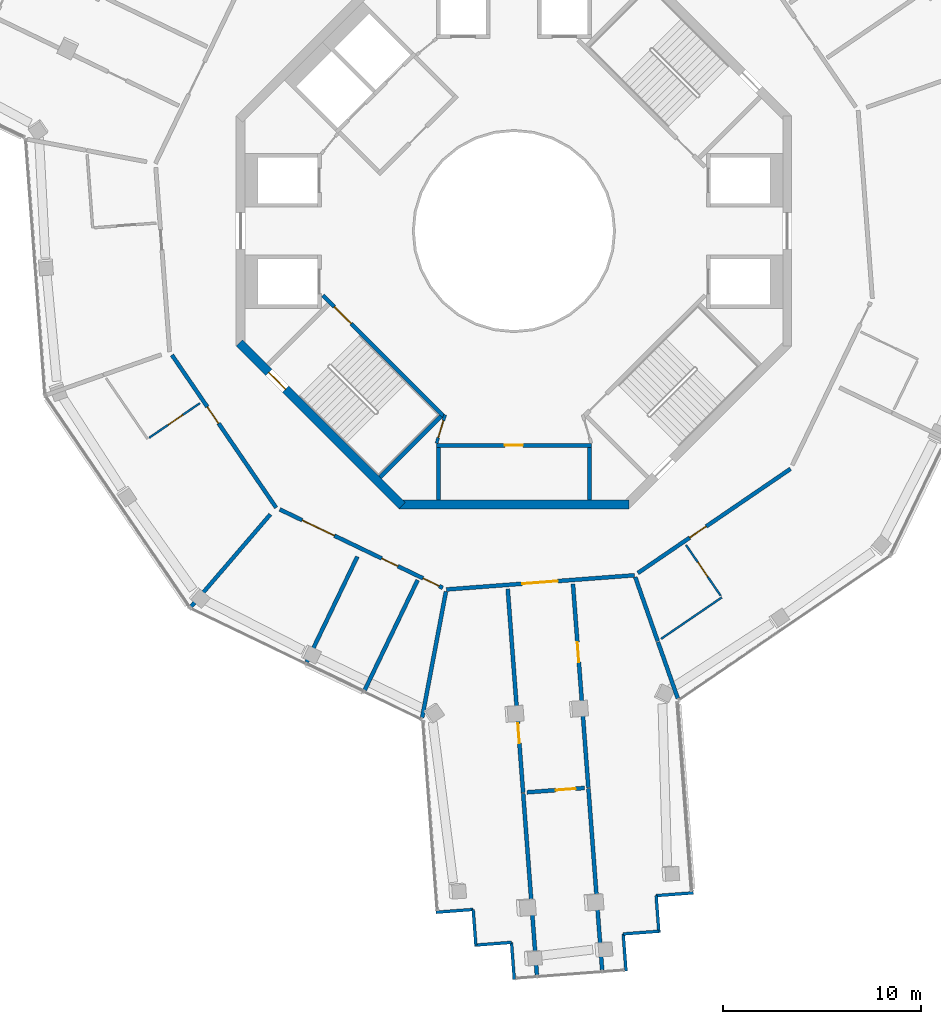
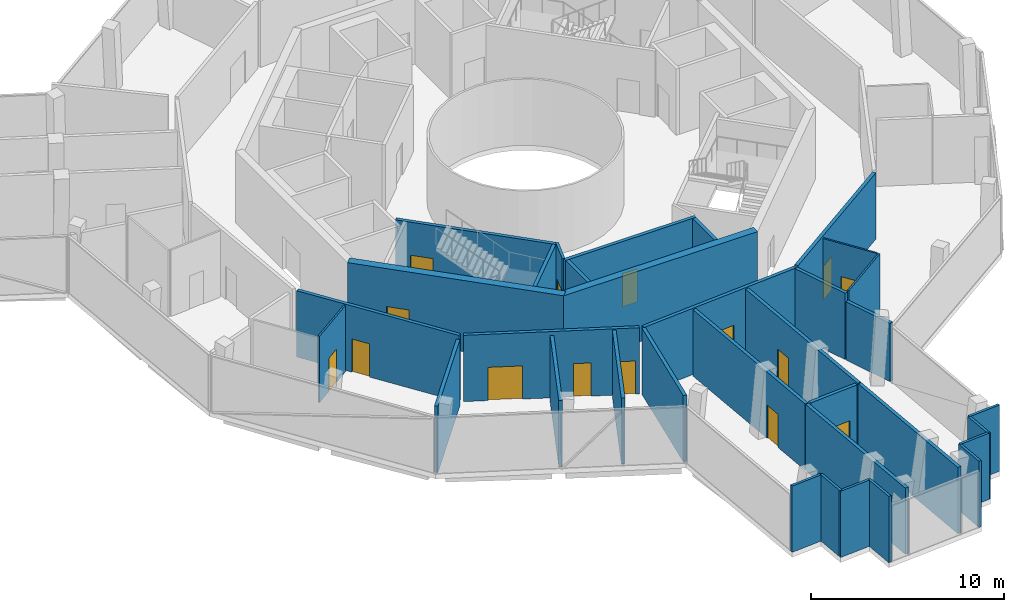
# One storey, part 13 of 19: 34 walls, 15 doors, 15 openings.
"""IFC4 building model written with IfcOpenShell, lengths in metres."""

from ifc_helpers import new_model, si_unit, direction, frame, frame_2d, origin, place, context, subcontext, project, spatial, rectangle, extrude, material, layer, layer_set, type_object, element, fill, save


model = new_model("IFC4")

# Units and contexts
model_context = context("Model", 3, precision=1e-05, world=origin(), true_north=direction((0.0, 1.0)))
body_context = subcontext(model_context, "Body", "Model", "MODEL_VIEW")
ifc_project = project(units=[si_unit("LENGTHUNIT", "METRE"), si_unit("AREAUNIT", "SQUARE_METRE"), si_unit("VOLUMEUNIT", "CUBIC_METRE"), si_unit("PLANEANGLEUNIT", "RADIAN"), si_unit("MASSUNIT", "GRAM", prefix="KILO")], contexts=[model_context])

# Site, building, storey
site_placement = place(None, origin())
site = spatial("IfcSite", under=ifc_project, at=site_placement, CompositionType="ELEMENT")
building_placement = place(site_placement, origin())
building = spatial("IfcBuilding", under=site, at=building_placement, Name="Verdalira Terraces Hotel", CompositionType="ELEMENT")
storey_placement = place(building_placement, frame((0.0, 0.0, 295.0)))
storey = spatial("IfcBuildingStorey", under=building, at=storey_placement, Name="L73", CompositionType="ELEMENT", Elevation=295.0)

# Wall, opening, door
ifc_material_1 = material(Name="Moisture-resistant gypsum board partition")
ifc_layer_1 = layer(ifc_material_1, 0.10009765625)
ifc_layer_set_1 = layer_set([ifc_layer_1], Name="Bathroom partition 100 mm")
wall_type_1 = type_object("IfcWallType", Name="Bathroom partition 100 mm", PredefinedType="PARTITIONING", material=ifc_layer_set_1)
wall_1_placement = place(storey_placement, frame((-18.383545, -10.420898, 0.0), z_axis=(0.0, 0.0, 1.0), x_axis=(0.825905634, 0.563808375, 0.0)))
wall_1 = element("IfcWall", 1, at=wall_1_placement, inside=storey, type_object=wall_type_1, Name="Bathroom partition", PredefinedType="PARTITIONING", context=body_context, shape_type="SweptSolid", body=[
    extrude(rectangle(XDim=3.100098, YDim=0.100098, at=frame_2d((1.550049, 0.0))), origin(), (0.0, 0.0, 1.0), 4.189941),
])
opening_1_placement = place(wall_1_placement, frame((1.149902, 0.0, 0.0)))
opening_1 = element("IfcOpeningElement", 2, at=opening_1_placement, cuts=wall_1, Name="Opening L73-108", PredefinedType="OPENING", context=body_context, shape_type="SweptSolid", body=[
    extrude(rectangle(XDim=0.899902, YDim=2.100098, at=frame_2d((0.449951, 1.050049))), frame((0.0, 0.060059, 0.0), z_axis=(0.0, -1.0, 0.0), x_axis=(1.0, 0.0, 0.0)), (0.0, 0.0, 1.0), 0.120117),
])
ifc_material_2 = material(Name="Timber door", Category="wood")
door_type_1 = type_object("IfcDoorType", Name="Bathroom door 900 x 2100", OperationType="NOTDEFINED", PredefinedType="DOOR", material=ifc_material_2)
door_1_placement = place(opening_1_placement, origin())
door_1 = element("IfcDoor", 3, at=door_1_placement, inside=storey, type_object=door_type_1, Name="Bathroom door 7303", OperationType="SINGLE_SWING_LEFT", OverallHeight=2.10009765625, OverallWidth=0.89990234375, PredefinedType="DOOR", context=body_context, shape_type="SweptSolid", body=[
    extrude(rectangle(XDim=0.899902, YDim=2.100098, at=frame_2d((0.449951, 1.050049))), frame((0.0, 0.024902, 0.0), z_axis=(0.0, -1.0, 0.0), x_axis=(1.0, 0.0, 0.0)), (0.0, 0.0, 1.0), 0.050049),
])
fill(opening_1, door_1)

# Wall
wall_2_placement = place(storey_placement, frame((10.477295, -18.466064, 0.0), z_axis=(0.0, 0.0, 1.0), x_axis=(-0.82591626, -0.563792809, 0.0)))
element("IfcWall", 4, at=wall_2_placement, inside=storey, type_object=wall_type_1, Name="Bathroom partition", PredefinedType="PARTITIONING", context=body_context, shape_type="SweptSolid", body=[
    extrude(rectangle(XDim=3.704102, YDim=0.100098, at=frame_2d((1.852051, 0.0))), origin(), (0.0, 0.0, 1.0), 4.189941),
])

# Wall, opening, door
wall_3_placement = place(storey_placement, frame((10.420898, -18.383545, 0.0), z_axis=(0.0, 0.0, 1.0), x_axis=(-0.563808375, 0.825905634, 0.0)))
wall_3 = element("IfcWall", 5, at=wall_3_placement, inside=storey, type_object=wall_type_1, Name="Bathroom partition", PredefinedType="PARTITIONING", context=body_context, shape_type="SweptSolid", body=[
    extrude(rectangle(XDim=3.100098, YDim=0.100098, at=frame_2d((1.550049, 0.0))), origin(), (0.0, 0.0, 1.0), 4.189941),
])
opening_2_placement = place(wall_3_placement, frame((1.149902, 0.0, 0.0)))
opening_2 = element("IfcOpeningElement", 6, at=opening_2_placement, cuts=wall_3, Name="Opening L73-115", PredefinedType="OPENING", context=body_context, shape_type="SweptSolid", body=[
    extrude(rectangle(XDim=0.899902, YDim=2.100098, at=frame_2d((0.449951, 1.050049))), frame((0.0, 0.060059, 0.0), z_axis=(0.0, -1.0, 0.0), x_axis=(1.0, 0.0, 0.0)), (0.0, 0.0, 1.0), 0.120117),
])
door_2_placement = place(opening_2_placement, origin())
door_2 = element("IfcDoor", 7, at=door_2_placement, inside=storey, type_object=door_type_1, Name="Bathroom door 7306", OperationType="SINGLE_SWING_LEFT", OverallHeight=2.10009765625, OverallWidth=0.89990234375, PredefinedType="DOOR", context=body_context, shape_type="SweptSolid", body=[
    extrude(rectangle(XDim=0.899902, YDim=2.100098, at=frame_2d((0.449951, 1.050049))), frame((0.0, 0.024902, 0.0), z_axis=(0.0, -1.0, 0.0), x_axis=(1.0, 0.0, 0.0)), (0.0, 0.0, 1.0), 0.050049),
])
fill(opening_2, door_2)

ifc_material_3 = material(Name="Concrete C50", Category="concrete")
ifc_layer_2 = layer(ifc_material_3, 0.199951171875)
ifc_layer_set_2 = layer_set([ifc_layer_2], Name="Core RC wall 200 C50")
wall_type_2 = type_object("IfcWallType", Name="Core RC wall 200 C50", PredefinedType="SOLIDWALL", material=ifc_layer_set_2)
wall_4_placement = place(storey_placement, frame((-3.899902, -10.800049, 0.0), z_axis=(0.0, 0.0, 1.0), x_axis=(1.0, 0.0, 0.0)))
wall_4 = element("IfcWall", 8, at=wall_4_placement, inside=storey, type_object=wall_type_2, Name="L73 store front wall", PredefinedType="SOLIDWALL", context=body_context, shape_type="SweptSolid", body=[
    extrude(rectangle(XDim=7.799805, YDim=0.199951, at=frame_2d((3.899902, 0.0))), origin(), (0.0, 0.0, 1.0), 4.189941),
])
opening_3_placement = place(wall_4_placement, frame((3.449951, 0.0, 0.0)))
opening_3 = element("IfcOpeningElement", 9, at=opening_3_placement, cuts=wall_4, Name="Opening L73-801", PredefinedType="OPENING", context=body_context, shape_type="SweptSolid", body=[
    extrude(rectangle(XDim=0.899902, YDim=2.100098, at=frame_2d((0.449951, 1.050049))), frame((0.0, 0.109863, 0.0), z_axis=(0.0, -1.0, 0.0), x_axis=(1.0, 0.0, 0.0)), (0.0, 0.0, 1.0), 0.219971),
])
ifc_material_4 = material(Name="Steel fire door", Category="steel")
door_type_2 = type_object("IfcDoorType", Name="Core room door 900 x 2100", OperationType="NOTDEFINED", PredefinedType="DOOR", material=ifc_material_4)
door_3_placement = place(opening_3_placement, origin())
door_3 = element("IfcDoor", 10, at=door_3_placement, inside=storey, type_object=door_type_2, Name="Store door L73 SS", OperationType="SINGLE_SWING_LEFT", OverallHeight=2.10009765625, OverallWidth=0.89990234375, PredefinedType="DOOR", context=body_context, shape_type="SweptSolid", body=[
    extrude(rectangle(XDim=0.899902, YDim=2.100098, at=frame_2d((0.449951, 1.050049))), frame((0.0, 0.024902, 0.0), z_axis=(0.0, -1.0, 0.0), x_axis=(1.0, 0.0, 0.0)), (0.0, 0.0, 1.0), 0.050049),
])
fill(opening_3, door_3)

# Walls
for number, where, z_axis, x_axis, name in (
    (11, (-3.800049, -10.899902, 0.0), (0.0, 0.0, 1.0), (0.0, -1.0, 0.0), "L73 store side wall"),
    (12, (3.800049, -10.899902, 0.0), (0.0, 0.0, 1.0), (0.0, -1.0, 0.0), "L73 store side wall"),
):
    element("IfcWall", number, at=place(storey_placement, frame(where, z_axis=z_axis, x_axis=x_axis)), inside=storey, type_object=wall_type_2, Name=name, PredefinedType="SOLIDWALL", context=body_context, shape_type="SweptSolid", body=[
        extrude(rectangle(XDim=2.650146, YDim=0.199951, at=frame_2d((1.325195, 0.0))), origin(), (0.0, 0.0, 1.0), 4.189941),
    ])

# Wall, opening, door
wall_5_placement = place(storey_placement, frame((-3.5354, -9.33374, 0.0), z_axis=(0.0, 0.0, 1.0), x_axis=(-0.707120946, 0.707092617, 0.0)))
wall_5 = element("IfcWall", 13, at=wall_5_placement, inside=storey, type_object=wall_type_2, Name="L73 stair ST2 front wall", PredefinedType="SOLIDWALL", context=body_context, shape_type="SweptSolid", body=[
    extrude(rectangle(XDim=8.61792, YDim=0.199951, at=frame_2d((4.309082, 0.0))), origin(), (0.0, 0.0, 1.0), 4.189941),
])
opening_4_placement = place(wall_5_placement, frame((6.600098, 0.0, 0.0)))
opening_4 = element("IfcOpeningElement", 14, at=opening_4_placement, cuts=wall_5, Name="Opening L73-811", PredefinedType="OPENING", context=body_context, shape_type="SweptSolid", body=[
    extrude(rectangle(XDim=1.199951, YDim=2.100098, at=frame_2d((0.600098, 1.050049))), frame((0.0, 0.109863, 0.0), z_axis=(0.0, -1.0, 0.0), x_axis=(1.0, 0.0, 0.0)), (0.0, 0.0, 1.0), 0.219971),
])
ifc_material_5 = material(Name="Steel fire door", Category="steel")
door_type_3 = type_object("IfcDoorType", Name="Stair door 1200 x 2100", OperationType="NOTDEFINED", PredefinedType="DOOR", material=ifc_material_5)
door_4_placement = place(opening_4_placement, origin())
door_4 = element("IfcDoor", 15, at=door_4_placement, inside=storey, type_object=door_type_3, Name="Stair door ST2 L73", OperationType="SINGLE_SWING_RIGHT", OverallHeight=2.10009765625, OverallWidth=1.199951171875, PredefinedType="DOOR", context=body_context, shape_type="SweptSolid", body=[
    extrude(rectangle(XDim=1.199951, YDim=2.100098, at=frame_2d((0.600098, 1.050049))), frame((0.0, 0.024902, 0.0), z_axis=(0.0, -1.0, 0.0), x_axis=(1.0, 0.0, 0.0)), (0.0, 0.0, 1.0), 0.050049),
])
fill(opening_4, door_4)

# Wall
wall_6_placement = place(storey_placement, frame((-3.677002, -9.33374, 0.0), z_axis=(0.0, 0.0, 1.0), x_axis=(-0.707106781, -0.707106781, 0.0)))
element("IfcWall", 16, at=wall_6_placement, inside=storey, type_object=wall_type_2, Name="L73 stair ST2 end wall 2", PredefinedType="SOLIDWALL", context=body_context, shape_type="SweptSolid", body=[
    extrude(rectangle(XDim=4.350098, YDim=0.199951, at=frame_2d((2.175049, 0.0))), origin(), (0.0, 0.0, 1.0), 4.189941),
])

# Wall, opening, door
ifc_material_6 = material(Name="Gypsum board partition")
ifc_layer_3 = layer(ifc_material_6, 0.14990234375)
ifc_layer_set_3 = layer_set([ifc_layer_3], Name="Core partition 150 mm")
wall_type_3 = type_object("IfcWallType", Name="Core partition 150 mm", PredefinedType="PARTITIONING", material=ifc_layer_set_3)
wall_7_placement = place(storey_placement, frame((-3.464844, -9.263184, 0.0), z_axis=(0.0, 0.0, 1.0), x_axis=(-0.289808785, -0.957084567, 0.0)))
wall_7 = element("IfcWall", 17, at=wall_7_placement, inside=storey, type_object=wall_type_3, Name="Room partition L73", PredefinedType="PARTITIONING", context=body_context, shape_type="SweptSolid", body=[
    extrude(rectangle(XDim=1.501221, YDim=0.149902, at=frame_2d((0.750488, 0.0))), origin(), (0.0, 0.0, 1.0), 4.189941),
])
opening_5_placement = place(wall_7_placement, frame((0.300781, 0.0, 0.0)))
opening_5 = element("IfcOpeningElement", 18, at=opening_5_placement, cuts=wall_7, Name="Opening L73-822", PredefinedType="OPENING", context=body_context, shape_type="SweptSolid", body=[
    extrude(rectangle(XDim=0.899902, YDim=2.100098, at=frame_2d((0.449951, 1.050049))), frame((0.0, 0.084961, 0.0), z_axis=(0.0, -1.0, 0.0), x_axis=(1.0, 0.0, 0.0)), (0.0, 0.0, 1.0), 0.169922),
])
door_5_placement = place(opening_5_placement, origin())
door_5 = element("IfcDoor", 19, at=door_5_placement, inside=storey, type_object=door_type_2, Name="Door L73 room5", OperationType="SINGLE_SWING_LEFT", OverallHeight=2.10009765625, OverallWidth=0.89990234375, PredefinedType="DOOR", context=body_context, shape_type="SweptSolid", body=[
    extrude(rectangle(XDim=0.899902, YDim=2.100098, at=frame_2d((0.449951, 1.050049))), frame((0.0, 0.024902, 0.0), z_axis=(0.0, -1.0, 0.0), x_axis=(1.0, 0.0, 0.0)), (0.0, 0.0, 1.0), 0.050049),
])
fill(opening_5, door_5)

ifc_material_7 = material(Name="Concrete C50", Category="concrete")
ifc_layer_4 = layer(ifc_material_7, 0.449951171875)
ifc_layer_set_4 = layer_set([ifc_layer_4], Name="Core wall 450 C50")
wall_type_4 = type_object("IfcWallType", Name="Core wall 450 C50", PredefinedType="SHEAR", material=ifc_layer_set_4)
wall_8_placement = place(storey_placement, frame((-13.84082, -5.639893, 0.0), z_axis=(0.0, 0.0, 1.0), x_axis=(0.707106781, -0.707106781, 0.0)))
wall_8 = element("IfcWall", 20, at=wall_8_placement, inside=storey, type_object=wall_type_4, Name="Core wall CW-L73-6", PredefinedType="SHEAR", context=body_context, shape_type="SweptSolid", body=[
    extrude(rectangle(XDim=11.5979, YDim=0.449951, at=frame_2d((5.798828, 0.0))), origin(), (0.0, 0.0, 1.0), 4.5),
])
opening_6_placement = place(wall_8_placement, frame((2.099121, 0.0, 0.0)))
opening_6 = element("IfcOpeningElement", 21, at=opening_6_placement, cuts=wall_8, Name="Opening L73-817", PredefinedType="OPENING", context=body_context, shape_type="SweptSolid", body=[
    extrude(rectangle(XDim=1.199951, YDim=2.100098, at=frame_2d((0.600098, 1.050049))), frame((0.0, 0.234863, 0.0), z_axis=(0.0, -1.0, 0.0), x_axis=(1.0, 0.0, 0.0)), (0.0, 0.0, 1.0), 0.469971),
])
door_6_placement = place(opening_6_placement, origin())
door_6 = element("IfcDoor", 22, at=door_6_placement, inside=storey, type_object=door_type_3, Name="Stair exit door ST2 L73", OperationType="SINGLE_SWING_LEFT", OverallHeight=2.10009765625, OverallWidth=1.199951171875, PredefinedType="DOOR", context=body_context, shape_type="SweptSolid", body=[
    extrude(rectangle(XDim=1.199951, YDim=2.100098, at=frame_2d((0.600098, 1.050049))), frame((0.0, 0.024902, 0.0), z_axis=(0.0, -1.0, 0.0), x_axis=(1.0, 0.0, 0.0)), (0.0, 0.0, 1.0), 0.050049),
])
fill(opening_6, door_6)

# Walls
wall_9_placement = place(storey_placement, frame((-5.799072, -13.774902, 0.0), z_axis=(0.0, 0.0, 1.0), x_axis=(1.0, 0.0, 0.0)))
element("IfcWall", 23, at=wall_9_placement, inside=storey, type_object=wall_type_4, Name="Core wall CW-L73-7", PredefinedType="SHEAR", context=body_context, shape_type="SweptSolid", body=[
    extrude(rectangle(XDim=11.598145, YDim=0.449951, at=frame_2d((5.799072, 0.0))), origin(), (0.0, 0.0, 1.0), 4.5),
])
ifc_material_8 = material(Name="Fire-rated gypsum board wall")
ifc_layer_5 = layer(ifc_material_8, 0.199951171875)
ifc_layer_set_5 = layer_set([ifc_layer_5], Name="Demising wall 200 mm")
wall_type_5 = type_object("IfcWallType", Name="Demising wall 200 mm", PredefinedType="SOLIDWALL", material=ifc_layer_set_5)
wall_10_placement = place(storey_placement, frame((-16.272461, -18.931885, 0.0), z_axis=(0.0, 0.0, 1.0), x_axis=(0.651826856, 0.75836782, 0.0)))
element("IfcWall", 24, at=wall_10_placement, inside=storey, type_object=wall_type_5, Name="Demising wall", PredefinedType="SOLIDWALL", context=body_context, shape_type="SweptSolid", body=[
    extrude(rectangle(XDim=6.13208, YDim=0.199951, at=frame_2d((3.065918, 0.0))), origin(), (0.0, 0.0, 1.0), 4.189941),
])

# Wall, opening, door
wall_11_placement = place(storey_placement, frame((0.463379, -28.305908, 0.0), z_axis=(0.0, 0.0, 1.0), x_axis=(-0.07531369, 0.997159891, 0.0)))
wall_11 = element("IfcWall", 25, at=wall_11_placement, inside=storey, type_object=wall_type_5, Name="Demising wall", PredefinedType="SOLIDWALL", context=body_context, shape_type="SweptSolid", body=[
    extrude(rectangle(XDim=10.302002, YDim=0.199951, at=frame_2d((5.150879, 0.0))), origin(), (0.0, 0.0, 1.0), 4.189941),
])
opening_7_placement = place(wall_11_placement, frame((2.5, 0.0, 0.0)))
opening_7 = element("IfcOpeningElement", 26, at=opening_7_placement, cuts=wall_11, Name="Opening L73-111", PredefinedType="OPENING", context=body_context, shape_type="SweptSolid", body=[
    extrude(rectangle(XDim=1.0, YDim=2.100098, at=frame_2d((0.5, 1.050049))), frame((0.0, 0.109863, 0.0), z_axis=(0.0, -1.0, 0.0), x_axis=(1.0, 0.0, 0.0)), (0.0, 0.0, 1.0), 0.219971),
])
ifc_material_9 = material(Name="Timber fire door", Category="wood")
door_type_4 = type_object("IfcDoorType", Name="Public room door 1000 x 2100", OperationType="NOTDEFINED", PredefinedType="DOOR", material=ifc_material_9)
door_7_placement = place(opening_7_placement, origin())
door_7 = element("IfcDoor", 27, at=door_7_placement, inside=storey, type_object=door_type_4, Name="Public room door 7305", OperationType="SINGLE_SWING_LEFT", OverallHeight=2.10009765625, OverallWidth=1.0, PredefinedType="DOOR", context=body_context, shape_type="SweptSolid", body=[
    extrude(rectangle(XDim=1.0, YDim=2.100098, at=frame_2d((0.5, 1.050049))), frame((0.0, 0.024902, 0.0), z_axis=(0.0, -1.0, 0.0), x_axis=(1.0, 0.0, 0.0)), (0.0, 0.0, 1.0), 0.050049),
])
fill(opening_7, door_7)

# Wall
wall_12_placement = place(storey_placement, frame((0.467041, -28.351807, 0.0), z_axis=(0.0, 0.0, 1.0), x_axis=(0.075312667, -0.997159968, 0.0)))
element("IfcWall", 28, at=wall_12_placement, inside=storey, type_object=wall_type_5, Name="Demising wall", PredefinedType="SOLIDWALL", context=body_context, shape_type="SweptSolid", body=[
    extrude(rectangle(XDim=9.161133, YDim=0.199951, at=frame_2d((4.580566, 0.0))), origin(), (0.0, 0.0, 1.0), 4.189941),
])

# Wall, opening, door
wall_13_placement = place(storey_placement, frame((3.55249, -28.070557, 0.0), z_axis=(0.0, 0.0, 1.0), x_axis=(-0.997159586, -0.075317731, 0.0)))
wall_13 = element("IfcWall", 29, at=wall_13_placement, inside=storey, type_object=wall_type_5, Name="Demising wall", PredefinedType="SOLIDWALL", context=body_context, shape_type="SweptSolid", body=[
    extrude(rectangle(XDim=2.897949, YDim=0.199951, at=frame_2d((1.448975, 0.0))), origin(), (0.0, 0.0, 1.0), 4.189941),
])
opening_8_placement = place(wall_13_placement, frame((0.449951, 0.0, 0.0)))
opening_8 = element("IfcOpeningElement", 30, at=opening_8_placement, cuts=wall_13, Name="Opening L73-113", PredefinedType="OPENING", context=body_context, shape_type="SweptSolid", body=[
    extrude(rectangle(XDim=1.0, YDim=2.100098, at=frame_2d((0.5, 1.050049))), frame((0.0, 0.109863, 0.0), z_axis=(0.0, -1.0, 0.0), x_axis=(1.0, 0.0, 0.0)), (0.0, 0.0, 1.0), 0.219971),
])
door_8_placement = place(opening_8_placement, origin())
door_8 = element("IfcDoor", 31, at=door_8_placement, inside=storey, type_object=door_type_4, Name="Public room door 7305", OperationType="SINGLE_SWING_LEFT", OverallHeight=2.10009765625, OverallWidth=1.0, PredefinedType="DOOR", context=body_context, shape_type="SweptSolid", body=[
    extrude(rectangle(XDim=1.0, YDim=2.100098, at=frame_2d((0.5, 1.050049))), frame((0.0, 0.024902, 0.0), z_axis=(0.0, -1.0, 0.0), x_axis=(1.0, 0.0, 0.0)), (0.0, 0.0, 1.0), 0.050049),
])
fill(opening_8, door_8)

wall_14_placement = place(storey_placement, frame((2.976074, -17.784668, 0.0), z_axis=(0.0, 0.0, 1.0), x_axis=(0.07531369, -0.997159891, 0.0)))
wall_14 = element("IfcWall", 32, at=wall_14_placement, inside=storey, type_object=wall_type_5, Name="Demising wall", PredefinedType="SOLIDWALL", context=body_context, shape_type="SweptSolid", body=[
    extrude(rectangle(XDim=10.302002, YDim=0.199951, at=frame_2d((5.150879, 0.0))), origin(), (0.0, 0.0, 1.0), 4.189941),
])
opening_9_placement = place(wall_14_placement, frame((2.949951, 0.0, 0.0)))
opening_9 = element("IfcOpeningElement", 33, at=opening_9_placement, cuts=wall_14, Name="Opening L73-112", PredefinedType="OPENING", context=body_context, shape_type="SweptSolid", body=[
    extrude(rectangle(XDim=1.0, YDim=2.100098, at=frame_2d((0.5, 1.050049))), frame((0.0, 0.109863, 0.0), z_axis=(0.0, -1.0, 0.0), x_axis=(1.0, 0.0, 0.0)), (0.0, 0.0, 1.0), 0.219971),
])
door_9_placement = place(opening_9_placement, origin())
door_9 = element("IfcDoor", 34, at=door_9_placement, inside=storey, type_object=door_type_4, Name="Public room door 7305", OperationType="SINGLE_SWING_LEFT", OverallHeight=2.10009765625, OverallWidth=1.0, PredefinedType="DOOR", context=body_context, shape_type="SweptSolid", body=[
    extrude(rectangle(XDim=1.0, YDim=2.100098, at=frame_2d((0.5, 1.050049))), frame((0.0, 0.024902, 0.0), z_axis=(0.0, -1.0, 0.0), x_axis=(1.0, 0.0, 0.0)), (0.0, 0.0, 1.0), 0.050049),
])
fill(opening_9, door_9)

# Walls
wall_15_placement = place(storey_placement, frame((4.445557, -37.238281, 0.0), z_axis=(0.0, 0.0, 1.0), x_axis=(-0.075339166, 0.997157966, 0.0)))
element("IfcWall", 35, at=wall_15_placement, inside=storey, type_object=wall_type_5, Name="Demising wall", PredefinedType="SOLIDWALL", context=body_context, shape_type="SweptSolid", body=[
    extrude(rectangle(XDim=9.161133, YDim=0.199951, at=frame_2d((4.580566, 0.0))), origin(), (0.0, 0.0, 1.0), 4.189941),
])
wall_16_placement = place(storey_placement, frame((6.116699, -17.447021, 0.0), z_axis=(0.0, 0.0, 1.0), x_axis=(0.330865709, -0.943677849, 0.0)))
element("IfcWall", 36, at=wall_16_placement, inside=storey, type_object=wall_type_5, Name="Demising wall", PredefinedType="SOLIDWALL", context=body_context, shape_type="SweptSolid", body=[
    extrude(rectangle(XDim=3.418701, YDim=0.199951, at=frame_2d((1.709473, 0.0))), origin(), (0.0, 0.0, 1.0), 4.189941),
])
ifc_material_10 = material(Name="Fire-rated gypsum board wall")
ifc_layer_6 = layer(ifc_material_10, 0.199951171875)
ifc_layer_set_6 = layer_set([ifc_layer_6], Name="Demising wall 200 mm to beam soffit")
wall_type_6 = type_object("IfcWallType", Name="Demising wall 200 mm to beam soffit", PredefinedType="SOLIDWALL", material=ifc_layer_set_6)
wall_17_placement = place(storey_placement, frame((7.262939, -20.716309, 0.0), z_axis=(0.0, 0.0, 1.0), x_axis=(0.330855951, -0.94368127, 0.0)))
element("IfcWall", 37, at=wall_17_placement, inside=storey, type_object=wall_type_6, Name="Demising wall", PredefinedType="SOLIDWALL", context=body_context, shape_type="SweptSolid", body=[
    extrude(rectangle(XDim=3.011475, YDim=0.199951, at=frame_2d((1.505859, 0.0))), origin(), (0.0, 0.0, 1.0), 3.689941),
])

# Wall, opening, door
ifc_material_11 = material(Name="Fire-rated gypsum board wall")
ifc_layer_7 = layer(ifc_material_11, 0.199951171875)
ifc_layer_set_7 = layer_set([ifc_layer_7], Name="Guest corridor wall 200 mm")
wall_type_7 = type_object("IfcWallType", Name="Guest corridor wall 200 mm", PredefinedType="SOLIDWALL", material=ifc_layer_set_7)
wall_18_placement = place(storey_placement, frame((-11.983887, -13.942383, 0.0), z_axis=(0.0, 0.0, 1.0), x_axis=(-0.563822163, 0.825896222, 0.0)))
wall_18 = element("IfcWall", 38, at=wall_18_placement, inside=storey, type_object=wall_type_7, Name="Guest corridor wall", PredefinedType="SOLIDWALL", context=body_context, shape_type="SweptSolid", body=[
    extrude(rectangle(XDim=9.31665, YDim=0.199951, at=frame_2d((4.658203, 0.0))), origin(), (0.0, 0.0, 1.0), 4.189941),
])
opening_10_placement = place(wall_18_placement, frame((5.149902, 0.0, 0.0)))
opening_10 = element("IfcOpeningElement", 39, at=opening_10_placement, cuts=wall_18, Name="Opening L73-107", PredefinedType="OPENING", context=body_context, shape_type="SweptSolid", body=[
    extrude(rectangle(XDim=1.0, YDim=2.100098, at=frame_2d((0.5, 1.050049))), frame((0.0, 0.109863, 0.0), z_axis=(0.0, -1.0, 0.0), x_axis=(1.0, 0.0, 0.0)), (0.0, 0.0, 1.0), 0.219971),
])
ifc_material_12 = material(Name="Timber fire door", Category="wood")
door_type_5 = type_object("IfcDoorType", Name="Guest entry door 1000 x 2100", OperationType="NOTDEFINED", PredefinedType="DOOR", material=ifc_material_12)
door_10_placement = place(opening_10_placement, origin())
door_10 = element("IfcDoor", 40, at=door_10_placement, inside=storey, type_object=door_type_5, Name="Guest entry door 7303", OperationType="SINGLE_SWING_LEFT", OverallHeight=2.10009765625, OverallWidth=1.0, PredefinedType="DOOR", context=body_context, shape_type="SweptSolid", body=[
    extrude(rectangle(XDim=1.0, YDim=2.100098, at=frame_2d((0.5, 1.050049))), frame((0.0, 0.024902, 0.0), z_axis=(0.0, -1.0, 0.0), x_axis=(1.0, 0.0, 0.0)), (0.0, 0.0, 1.0), 0.050049),
])
fill(opening_10, door_10)

# Wall, openings, doors
wall_19_placement = place(storey_placement, frame((-3.587402, -17.979492, 0.0), z_axis=(0.0, 0.0, 1.0), x_axis=(-0.901234927, 0.433330828, 0.0)))
wall_19 = element("IfcWall", 41, at=wall_19_placement, inside=storey, type_object=wall_type_7, Name="Guest corridor wall", PredefinedType="SOLIDWALL", context=body_context, shape_type="SweptSolid", body=[
    extrude(rectangle(XDim=9.116455, YDim=0.199951, at=frame_2d((4.558105, 0.0))), origin(), (0.0, 0.0, 1.0), 4.189941),
])
opening_11_placement = place(wall_19_placement, frame((6.05835, 0.0, 0.0)))
opening_11 = element("IfcOpeningElement", 42, at=opening_11_placement, cuts=wall_19, Name="Opening L73-109", PredefinedType="OPENING", context=body_context, shape_type="SweptSolid", body=[
    extrude(rectangle(XDim=1.800049, YDim=2.100098, at=frame_2d((0.899902, 1.050049))), frame((0.0, 0.109863, 0.0), z_axis=(0.0, -1.0, 0.0), x_axis=(1.0, 0.0, 0.0)), (0.0, 0.0, 1.0), 0.219971),
])
opening_12_placement = place(wall_19_placement, frame((2.508301, 0.0, 0.0)))
opening_12 = element("IfcOpeningElement", 43, at=opening_12_placement, cuts=wall_19, Name="Opening L73-125", PredefinedType="OPENING", context=body_context, shape_type="SweptSolid", body=[
    extrude(rectangle(XDim=0.899902, YDim=2.100098, at=frame_2d((0.449951, 1.050049))), frame((0.0, 0.109863, 0.0), z_axis=(0.0, -1.0, 0.0), x_axis=(1.0, 0.0, 0.0)), (0.0, 0.0, 1.0), 0.219971),
])
opening_13_placement = place(wall_19_placement, frame((0.199951, 0.0, 0.0)))
opening_13 = element("IfcOpeningElement", 44, at=opening_13_placement, cuts=wall_19, Name="Opening L73-126", PredefinedType="OPENING", context=body_context, shape_type="SweptSolid", body=[
    extrude(rectangle(XDim=0.899902, YDim=2.100098, at=frame_2d((0.449951, 1.050049))), frame((0.0, 0.109863, 0.0), z_axis=(0.0, -1.0, 0.0), x_axis=(1.0, 0.0, 0.0)), (0.0, 0.0, 1.0), 0.219971),
])
ifc_material_13 = material(Name="Timber fire door", Category="wood")
door_type_6 = type_object("IfcDoorType", Name="Public room double door 1800 x 2100", OperationType="NOTDEFINED", PredefinedType="DOOR", material=ifc_material_13)
door_11_placement = place(opening_11_placement, origin())
door_11 = element("IfcDoor", 45, at=door_11_placement, inside=storey, type_object=door_type_6, Name="Public room double door 7304", OperationType="DOUBLE_DOOR_SINGLE_SWING", OverallHeight=2.10009765625, OverallWidth=1.800048828125, PredefinedType="DOOR", context=body_context, shape_type="SweptSolid", body=[
    extrude(rectangle(XDim=1.800049, YDim=2.100098, at=frame_2d((0.899902, 1.050049))), frame((0.0, 0.024902, 0.0), z_axis=(0.0, -1.0, 0.0), x_axis=(1.0, 0.0, 0.0)), (0.0, 0.0, 1.0), 0.050049),
])
fill(opening_11, door_11)
ifc_material_14 = material(Name="Timber fire door", Category="wood")
door_type_7 = type_object("IfcDoorType", Name="Toilet door 900 x 2100", OperationType="NOTDEFINED", PredefinedType="DOOR", material=ifc_material_14)
door_12_placement = place(opening_12_placement, origin())
door_12 = element("IfcDoor", 46, at=door_12_placement, inside=storey, type_object=door_type_7, Name="Toilet door 7312", OperationType="SINGLE_SWING_LEFT", OverallHeight=2.10009765625, OverallWidth=0.89990234375, PredefinedType="DOOR", context=body_context, shape_type="SweptSolid", body=[
    extrude(rectangle(XDim=0.899902, YDim=2.100098, at=frame_2d((0.449951, 1.050049))), frame((0.0, 0.024902, 0.0), z_axis=(0.0, -1.0, 0.0), x_axis=(1.0, 0.0, 0.0)), (0.0, 0.0, 1.0), 0.050049),
])
fill(opening_12, door_12)
door_13_placement = place(opening_13_placement, origin())
door_13 = element("IfcDoor", 47, at=door_13_placement, inside=storey, type_object=door_type_7, Name="Toilet door 7313", OperationType="SINGLE_SWING_LEFT", OverallHeight=2.10009765625, OverallWidth=0.89990234375, PredefinedType="DOOR", context=body_context, shape_type="SweptSolid", body=[
    extrude(rectangle(XDim=0.899902, YDim=2.100098, at=frame_2d((0.449951, 1.050049))), frame((0.0, 0.024902, 0.0), z_axis=(0.0, -1.0, 0.0), x_axis=(1.0, 0.0, 0.0)), (0.0, 0.0, 1.0), 0.050049),
])
fill(opening_13, door_13)

# Wall, opening, door
wall_20_placement = place(storey_placement, frame((6.08252, -17.349365, 0.0), z_axis=(0.0, 0.0, 1.0), x_axis=(-0.997157396, -0.07534671, 0.0)))
wall_20 = element("IfcWall", 48, at=wall_20_placement, inside=storey, type_object=wall_type_7, Name="Guest corridor wall", PredefinedType="SOLIDWALL", context=body_context, shape_type="SweptSolid", body=[
    extrude(rectangle(XDim=9.516602, YDim=0.199951, at=frame_2d((4.758301, 0.0))), origin(), (0.0, 0.0, 1.0), 4.189941),
])
opening_14_placement = place(wall_20_placement, frame((3.880615, 0.0, 0.0)))
opening_14 = element("IfcOpeningElement", 49, at=opening_14_placement, cuts=wall_20, Name="Opening L73-110", PredefinedType="OPENING", context=body_context, shape_type="SweptSolid", body=[
    extrude(rectangle(XDim=1.800049, YDim=2.100098, at=frame_2d((0.899902, 1.050049))), frame((0.0, 0.109863, 0.0), z_axis=(0.0, -1.0, 0.0), x_axis=(1.0, 0.0, 0.0)), (0.0, 0.0, 1.0), 0.219971),
])
door_14_placement = place(opening_14_placement, origin())
door_14 = element("IfcDoor", 50, at=door_14_placement, inside=storey, type_object=door_type_6, Name="Public room double door 7305", OperationType="DOUBLE_DOOR_SINGLE_SWING", OverallHeight=2.10009765625, OverallWidth=1.800048828125, PredefinedType="DOOR", context=body_context, shape_type="SweptSolid", body=[
    extrude(rectangle(XDim=1.800049, YDim=2.100098, at=frame_2d((0.899902, 1.050049))), frame((0.0, 0.024902, 0.0), z_axis=(0.0, -1.0, 0.0), x_axis=(1.0, 0.0, 0.0)), (0.0, 0.0, 1.0), 0.050049),
])
fill(opening_14, door_14)

wall_21_placement = place(storey_placement, frame((13.941895, -11.984131, 0.0), z_axis=(0.0, 0.0, 1.0), x_axis=(-0.825891763, -0.563828694, 0.0)))
wall_21 = element("IfcWall", 51, at=wall_21_placement, inside=storey, type_object=wall_type_7, Name="Guest corridor wall", PredefinedType="SOLIDWALL", context=body_context, shape_type="SweptSolid", body=[
    extrude(rectangle(XDim=9.316162, YDim=0.199951, at=frame_2d((4.658203, 0.0))), origin(), (0.0, 0.0, 1.0), 4.189941),
])
opening_15_placement = place(wall_21_placement, frame((5.149902, 0.0, 0.0)))
opening_15 = element("IfcOpeningElement", 52, at=opening_15_placement, cuts=wall_21, Name="Opening L73-114", PredefinedType="OPENING", context=body_context, shape_type="SweptSolid", body=[
    extrude(rectangle(XDim=1.0, YDim=2.100098, at=frame_2d((0.5, 1.050049))), frame((0.0, 0.109863, 0.0), z_axis=(0.0, -1.0, 0.0), x_axis=(1.0, 0.0, 0.0)), (0.0, 0.0, 1.0), 0.219971),
])
door_15_placement = place(opening_15_placement, origin())
door_15 = element("IfcDoor", 53, at=door_15_placement, inside=storey, type_object=door_type_5, Name="Guest entry door 7306", OperationType="SINGLE_SWING_LEFT", OverallHeight=2.10009765625, OverallWidth=1.0, PredefinedType="DOOR", context=body_context, shape_type="SweptSolid", body=[
    extrude(rectangle(XDim=1.0, YDim=2.100098, at=frame_2d((0.5, 1.050049))), frame((0.0, 0.024902, 0.0), z_axis=(0.0, -1.0, 0.0), x_axis=(1.0, 0.0, 0.0)), (0.0, 0.0, 1.0), 0.050049),
])
fill(opening_15, door_15)

# Walls
ifc_material_15 = material(Name="Fire-rated gypsum board wall")
ifc_layer_8 = layer(ifc_material_15, 0.199951171875)
ifc_layer_set_8 = layer_set([ifc_layer_8], Name="Service room wall 200 mm")
wall_type_8 = type_object("IfcWallType", Name="Service room wall 200 mm", PredefinedType="SOLIDWALL", material=ifc_layer_set_8)
wall_22_placement = place(storey_placement, frame((-7.889404, -16.407471, 0.0), z_axis=(0.0, 0.0, 1.0), x_axis=(-0.433345475, -0.901227884, 0.0)))
element("IfcWall", 54, at=wall_22_placement, inside=storey, type_object=wall_type_8, Name="Service room wall", PredefinedType="SOLIDWALL", context=body_context, shape_type="SweptSolid", body=[
    extrude(rectangle(XDim=5.902588, YDim=0.199951, at=frame_2d((2.951172, 0.0))), origin(), (0.0, 0.0, 1.0), 4.189941),
])
wall_23_placement = place(storey_placement, frame((-4.853271, -17.593018, 0.0), z_axis=(0.0, 0.0, 1.0), x_axis=(-0.433345282, -0.901227977, 0.0)))
element("IfcWall", 55, at=wall_23_placement, inside=storey, type_object=wall_type_8, Name="Service room wall", PredefinedType="SOLIDWALL", context=body_context, shape_type="SweptSolid", body=[
    extrude(rectangle(XDim=6.149902, YDim=0.199951, at=frame_2d((3.074951, 0.0))), origin(), (0.0, 0.0, 1.0), 4.189941),
])
wall_24_placement = place(storey_placement, frame((-4.626465, -24.531494, 0.0), z_axis=(0.0, 0.0, 1.0), x_axis=(0.185337796, 0.982674871, 0.0)))
element("IfcWall", 56, at=wall_24_placement, inside=storey, type_object=wall_type_8, Name="Service room wall", PredefinedType="SOLIDWALL", context=body_context, shape_type="SweptSolid", body=[
    extrude(rectangle(XDim=6.47583, YDim=0.199951, at=frame_2d((3.237793, 0.0))), origin(), (0.0, 0.0, 1.0), 4.189941),
])
ifc_material_16 = material(Name="Terracotta cladding", Category="masonry")
ifc_layer_9 = layer(ifc_material_16, 0.14990234375)
ifc_layer_set_9 = layer_set([ifc_layer_9], Name="Terracotta clad wall 150")
wall_type_9 = type_object("IfcWallType", Name="Terracotta clad wall 150", PredefinedType="SOLIDWALL", material=ifc_layer_set_9)
wall_25_placement = place(storey_placement, frame((-3.924805, -34.335693, 0.0), z_axis=(0.0, 0.0, 1.0), x_axis=(0.997153971, 0.075392028, 0.0)))
element("IfcWall", 57, at=wall_25_placement, inside=storey, type_object=wall_type_9, Name="Terracotta cladding wall", PredefinedType="SOLIDWALL", context=body_context, shape_type="SweptSolid", body=[
    extrude(rectangle(XDim=1.875, YDim=0.149902, at=frame_2d((0.9375, 0.0))), origin(), (0.0, 0.0, 1.0), 4.189941),
])
wall_26_placement = place(storey_placement, frame((-2.055176, -34.194336, 0.0), z_axis=(0.0, 0.0, 1.0), x_axis=(0.075410342, -0.997152586, 0.0)))
element("IfcWall", 58, at=wall_26_placement, inside=storey, type_object=wall_type_9, Name="Terracotta cladding wall", PredefinedType="SOLIDWALL", context=body_context, shape_type="SweptSolid", body=[
    extrude(rectangle(XDim=1.800049, YDim=0.149902, at=frame_2d((0.899902, 0.0))), origin(), (0.0, 0.0, 1.0), 4.189941),
])
wall_27_placement = place(storey_placement, frame((-1.994385, -35.994873, 0.0), z_axis=(0.0, 0.0, 1.0), x_axis=(0.997164489, 0.075252784, 0.0)))
element("IfcWall", 59, at=wall_27_placement, inside=storey, type_object=wall_type_9, Name="Terracotta cladding wall", PredefinedType="SOLIDWALL", context=body_context, shape_type="SweptSolid", body=[
    extrude(rectangle(XDim=1.875244, YDim=0.149902, at=frame_2d((0.9375, 0.0))), origin(), (0.0, 0.0, 1.0), 4.189941),
])
wall_28_placement = place(storey_placement, frame((-0.124512, -35.85376, 0.0), z_axis=(0.0, 0.0, 1.0), x_axis=(0.075262555, -0.997163752, 0.0)))
element("IfcWall", 60, at=wall_28_placement, inside=storey, type_object=wall_type_9, Name="Terracotta cladding wall", PredefinedType="SOLIDWALL", context=body_context, shape_type="SweptSolid", body=[
    extrude(rectangle(XDim=1.875, YDim=0.149902, at=frame_2d((0.9375, 0.0))), origin(), (0.0, 0.0, 1.0), 4.189941),
])
wall_29_placement = place(storey_placement, frame((5.650635, -37.297852, 0.0), z_axis=(0.0, 0.0, 1.0), x_axis=(-0.07538224, 0.997154711, 0.0)))
element("IfcWall", 61, at=wall_29_placement, inside=storey, type_object=wall_type_9, Name="Terracotta cladding wall", PredefinedType="SOLIDWALL", context=body_context, shape_type="SweptSolid", body=[
    extrude(rectangle(XDim=1.875244, YDim=0.149902, at=frame_2d((0.9375, 0.0))), origin(), (0.0, 0.0, 1.0), 4.189941),
])
wall_30_placement = place(storey_placement, frame((5.509277, -35.427979, 0.0), z_axis=(0.0, 0.0, 1.0), x_axis=(0.997162776, 0.075275482, 0.0)))
element("IfcWall", 62, at=wall_30_placement, inside=storey, type_object=wall_type_9, Name="Terracotta cladding wall", PredefinedType="SOLIDWALL", context=body_context, shape_type="SweptSolid", body=[
    extrude(rectangle(XDim=1.800049, YDim=0.149902, at=frame_2d((0.899902, 0.0))), origin(), (0.0, 0.0, 1.0), 4.189941),
])
for number, where, z_axis, x_axis, name in (
    (63, (7.309814, -35.367188, 0.0), (0.0, 0.0, 1.0), (-0.075262555, 0.997163752, 0.0), "Terracotta cladding wall"),
    (64, (7.168701, -33.497559, 0.0), (0.0, 0.0, 1.0), (0.997163752, 0.075262555, 0.0), "Terracotta cladding wall"),
):
    element("IfcWall", number, at=place(storey_placement, frame(where, z_axis=z_axis, x_axis=x_axis)), inside=storey, type_object=wall_type_9, Name=name, PredefinedType="SOLIDWALL", context=body_context, shape_type="SweptSolid", body=[
        extrude(rectangle(XDim=1.875, YDim=0.149902, at=frame_2d((0.9375, 0.0))), origin(), (0.0, 0.0, 1.0), 4.189941),
    ])

save(model, "model.ifc")
